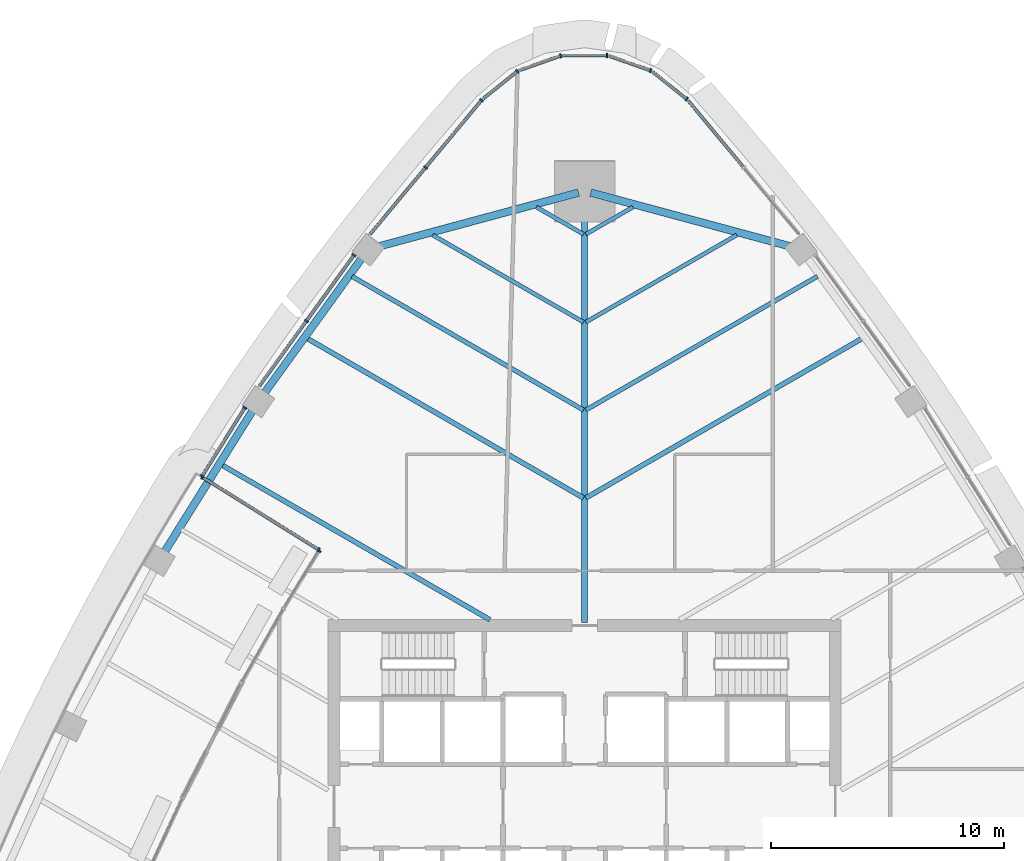
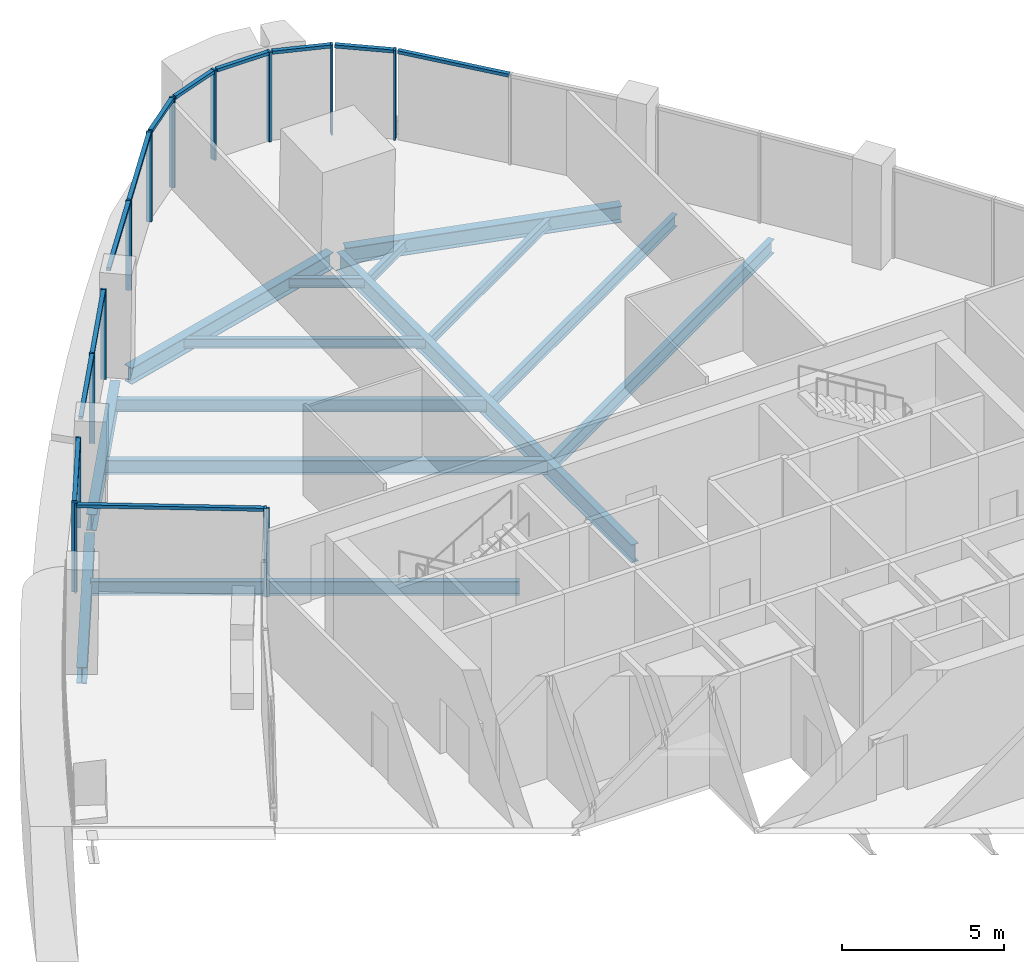
# One storey, part 5 of 18: 26 members, 14 beams, 11 elements without a shape of their own.
"""IFC4 building model written with IfcOpenShell, lengths in metres."""

from ifc_helpers import new_model, si_unit, direction, frame, origin, origin_2d, place, context, subcontext, project, spatial, rectangle, i_section, extrude, material, layer, layer_set, material_profile, profile_set, type_object, element, aggregate, save


model = new_model("IFC4")

# Units and contexts
model_context = context("Model", 3, precision=1e-05, world=origin(), true_north=direction((0.0, 1.0)))
body_context = subcontext(model_context, "Body", "Model", "MODEL_VIEW")
ifc_project = project(units=[si_unit("LENGTHUNIT", "METRE"), si_unit("AREAUNIT", "SQUARE_METRE"), si_unit("VOLUMEUNIT", "CUBIC_METRE"), si_unit("PLANEANGLEUNIT", "RADIAN"), si_unit("MASSUNIT", "GRAM", prefix="KILO")], contexts=[model_context])

# Site, building, storey
site_placement = place(None, origin())
site = spatial("IfcSite", under=ifc_project, at=site_placement, CompositionType="ELEMENT")
building_placement = place(site_placement, origin())
building = spatial("IfcBuilding", under=site, at=building_placement, Name="Sierra Prisma Convention Tower", CompositionType="ELEMENT")
storey_placement = place(building_placement, frame((0.0, 0.0, 205.800048828125)))
storey = spatial("IfcBuildingStorey", under=building, at=storey_placement, Name="L46", CompositionType="ELEMENT", Elevation=205.800048828125)

# Curtain wall, member
ifc_material_1 = material(Name="Aluminium and glass curtain wall", Category="aluminium")
ifc_layer_1 = layer(ifc_material_1, 0.179931640625)
ifc_layer_set_1 = layer_set([ifc_layer_1], Name="CW-1 Plain shaft curtain wall")
curtain_wall_type_1 = type_object("IfcCurtainWallType", Name="CW-1 Plain shaft curtain wall", PredefinedType="NOTDEFINED", material=ifc_layer_set_1)
curtain_wall_1_placement = place(storey_placement, origin())
curtain_wall_1 = element("IfcCurtainWall", 1, at=curtain_wall_1_placement, inside=storey, type_object=curtain_wall_type_1, Name="CW-1 N1 L46", PredefinedType="NOTDEFINED")
ifc_material_2 = material(Name="Aluminium 6063-T6 bronze anodised", Category="aluminium")
ifc_material_profile_1 = material_profile(ifc_material_2, rectangle(XDim=0.179931640625, YDim=0.070068359375, at=origin_2d()), Name="ALU MULLION 70x180")
ifc_profile_set_1 = profile_set([ifc_material_profile_1], Name="Aluminium 6063-T6 bronze anodised")
member_type_1 = type_object("IfcMemberType", Name="CW mullion bronze", PredefinedType="MULLION", material=ifc_profile_set_1)
member_1_placement = place(storey_placement, frame((4.37451171875, 30.325927734375, 0.0), z_axis=(0.0, 0.0, 1.0), x_axis=(-0.624741668982, -0.780831510019, 0.0)))
member_1 = element("IfcMember", 2, at=member_1_placement, type_object=member_type_1, Name="CW-1 mullion N1.1", PredefinedType="MULLION", context=body_context, shape_type="SweptSolid", body=[
    extrude(rectangle(XDim=0.179931640625, YDim=0.070068359375, at=origin_2d()), origin(), (0.0, 0.0, 1.0), 3.39990234375),
])

curtain_wall_2_placement = place(storey_placement, origin())
curtain_wall_2 = element("IfcCurtainWall", 3, at=curtain_wall_2_placement, inside=storey, type_object=curtain_wall_type_1, Name="CW-1 N2 L46", PredefinedType="NOTDEFINED")
member_2_placement = place(storey_placement, frame((2.82373046875, 31.552001953125, 0.0), z_axis=(0.0, 0.0, 1.0), x_axis=(-0.331035111409, -0.943618437195, 0.0)))
member_2 = element("IfcMember", 4, at=member_2_placement, type_object=member_type_1, Name="CW-1 mullion N2.1", PredefinedType="MULLION", context=body_context, shape_type="SweptSolid", body=[
    extrude(rectangle(XDim=0.179931640625, YDim=0.070068359375, at=origin_2d()), origin(), (0.0, 0.0, 1.0), 3.39990234375),
])

curtain_wall_3_placement = place(storey_placement, origin())
curtain_wall_3 = element("IfcCurtainWall", 5, at=curtain_wall_3_placement, inside=storey, type_object=curtain_wall_type_1, Name="CW-1 N3 L46", PredefinedType="NOTDEFINED")
member_3_placement = place(storey_placement, frame((0.954345703125, 32.195556640625, 0.0), z_axis=(0.0, 0.0, 1.0), x_axis=(0.0, -1.0, 0.0)))
member_3 = element("IfcMember", 6, at=member_3_placement, type_object=member_type_1, Name="CW-1 mullion N3.1", PredefinedType="MULLION", context=body_context, shape_type="SweptSolid", body=[
    extrude(rectangle(XDim=0.179931640625, YDim=0.070068359375, at=origin_2d()), origin(), (0.0, 0.0, 1.0), 3.39990234375),
])

curtain_wall_4_placement = place(storey_placement, origin())
curtain_wall_4 = element("IfcCurtainWall", 7, at=curtain_wall_4_placement, inside=storey, type_object=curtain_wall_type_1, Name="CW-1 N4 L46", PredefinedType="NOTDEFINED")
member_4_placement = place(storey_placement, frame((-1.0224609375, 32.183837890625, 0.0), z_axis=(0.0, 0.0, 1.0), x_axis=(0.331035111409, -0.943618437195, 0.0)))
member_4 = element("IfcMember", 8, at=member_4_placement, type_object=member_type_1, Name="CW-1 mullion N4.1", PredefinedType="MULLION", context=body_context, shape_type="SweptSolid", body=[
    extrude(rectangle(XDim=0.179931640625, YDim=0.070068359375, at=origin_2d()), origin(), (0.0, 0.0, 1.0), 3.39990234375),
])

curtain_wall_5_placement = place(storey_placement, origin())
curtain_wall_5 = element("IfcCurtainWall", 9, at=curtain_wall_5_placement, inside=storey, type_object=curtain_wall_type_1, Name="CW-1 N5 L46", PredefinedType="NOTDEFINED")
member_5_placement = place(storey_placement, frame((-2.884033203125, 31.5185546875, 0.0), z_axis=(0.0, 0.0, 1.0), x_axis=(0.624741668982, -0.780831510019, 0.0)))
member_5 = element("IfcMember", 10, at=member_5_placement, type_object=member_type_1, Name="CW-1 mullion N5.1", PredefinedType="MULLION", context=body_context, shape_type="SweptSolid", body=[
    extrude(rectangle(XDim=0.179931640625, YDim=0.070068359375, at=origin_2d()), origin(), (0.0, 0.0, 1.0), 3.39990234375),
])

# Curtain wall, members
curtain_wall_6_placement = place(storey_placement, origin())
curtain_wall_6 = element("IfcCurtainWall", 11, at=curtain_wall_6_placement, inside=storey, type_object=curtain_wall_type_1, Name="CW-1 NW1 L46", PredefinedType="NOTDEFINED")
member_6_placement = place(storey_placement, frame((-4.424072265625, 30.27734375, 0.0), z_axis=(0.0, 0.0, 1.0), x_axis=(0.76911181007, -0.639114249263, 0.0)))
member_6 = element("IfcMember", 12, at=member_6_placement, type_object=member_type_1, Name="CW-1 mullion NW1.1", PredefinedType="MULLION", context=body_context, shape_type="SweptSolid", body=[
    extrude(rectangle(XDim=0.179931640625, YDim=0.070068359375, at=origin_2d()), origin(), (0.0, 0.0, 1.0), 3.39990234375),
])
member_7_placement = place(storey_placement, frame((-6.8203125, 27.3935546875, 0.0), z_axis=(0.0, 0.0, 1.0), x_axis=(0.76911181007, -0.639114249263, 0.0)))
member_7 = element("IfcMember", 13, at=member_7_placement, type_object=member_type_1, Name="CW-1 mullion NW1.2", PredefinedType="MULLION", context=body_context, shape_type="SweptSolid", body=[
    extrude(rectangle(XDim=0.179931640625, YDim=0.070068359375, at=origin_2d()), origin(), (0.0, 0.0, 1.0), 3.39990234375),
])

curtain_wall_7_placement = place(storey_placement, origin())
curtain_wall_7 = element("IfcCurtainWall", 14, at=curtain_wall_7_placement, inside=storey, type_object=curtain_wall_type_1, Name="CW-1 NW2 L46", PredefinedType="NOTDEFINED")
member_8_placement = place(storey_placement, frame((-9.897705078125, 23.62890625, 0.0), z_axis=(0.0, 0.0, 1.0), x_axis=(0.810701414499, -0.585459833404, 0.0)))
member_8 = element("IfcMember", 15, at=member_8_placement, type_object=member_type_1, Name="CW-1 mullion NW2.1", PredefinedType="MULLION", context=body_context, shape_type="SweptSolid", body=[
    extrude(rectangle(XDim=0.179931640625, YDim=0.070068359375, at=origin_2d()), origin(), (0.0, 0.0, 1.0), 3.39990234375),
])
member_9_placement = place(storey_placement, frame((-11.933349609375, 20.809814453125, 0.0), z_axis=(0.0, 0.0, 1.0), x_axis=(0.810701414499, -0.585459833404, 0.0)))
member_9 = element("IfcMember", 16, at=member_9_placement, type_object=member_type_1, Name="CW-1 mullion NW2.2", PredefinedType="MULLION", context=body_context, shape_type="SweptSolid", body=[
    extrude(rectangle(XDim=0.179931640625, YDim=0.070068359375, at=origin_2d()), origin(), (0.0, 0.0, 1.0), 3.39990234375),
])

curtain_wall_8_placement = place(storey_placement, origin())
curtain_wall_8 = element("IfcCurtainWall", 17, at=curtain_wall_8_placement, inside=storey, type_object=curtain_wall_type_1, Name="CW-1 NW3 L46", PredefinedType="NOTDEFINED")
member_10_placement = place(storey_placement, frame((-14.572021484375, 17.0927734375, 0.0), z_axis=(0.0, 0.0, 1.0), x_axis=(0.848554908311, -0.529107330871, 0.0)))
member_10 = element("IfcMember", 18, at=member_10_placement, type_object=member_type_1, Name="CW-1 mullion NW3.1", PredefinedType="MULLION", context=body_context, shape_type="SweptSolid", body=[
    extrude(rectangle(XDim=0.179931640625, YDim=0.070068359375, at=origin_2d()), origin(), (0.0, 0.0, 1.0), 3.39990234375),
])
member_11_placement = place(storey_placement, frame((-16.401611328125, 14.158447265625, 0.0), z_axis=(0.0, 0.0, 1.0), x_axis=(0.848554908311, -0.529107330871, 0.0)))
member_11 = element("IfcMember", 19, at=member_11_placement, type_object=member_type_1, Name="CW-1 mullion NW3.2", PredefinedType="MULLION", context=body_context, shape_type="SweptSolid", body=[
    extrude(rectangle(XDim=0.179931640625, YDim=0.070068359375, at=origin_2d()), origin(), (0.0, 0.0, 1.0), 3.39990234375),
])

# Curtain wall, member
ifc_material_3 = material(Name="Aluminium and glass curtain wall", Category="aluminium")
ifc_layer_2 = layer(ifc_material_3, 0.179931640625)
ifc_layer_set_2 = layer_set([ifc_layer_2], Name="CW-6 Terrace recess curtain wall")
curtain_wall_type_2 = type_object("IfcCurtainWallType", Name="CW-6 Terrace recess curtain wall", PredefinedType="NOTDEFINED", material=ifc_layer_set_2)
curtain_wall_9_placement = place(storey_placement, origin())
curtain_wall_9 = element("IfcCurtainWall", 20, at=curtain_wall_9_placement, inside=storey, type_object=curtain_wall_type_2, Name="CW-6 R1 L46", PredefinedType="NOTDEFINED")
member_12_placement = place(storey_placement, frame((-11.39453125, 10.953857421875, 0.0), z_axis=(0.0, 0.0, 1.0), x_axis=(0.853116142014, -0.521721044462, 0.0)))
member_12 = element("IfcMember", 21, at=member_12_placement, type_object=member_type_1, Name="CW-6 mullion R1.1", PredefinedType="MULLION", context=body_context, shape_type="SweptSolid", body=[
    extrude(rectangle(XDim=0.179931640625, YDim=0.070068359375, at=origin_2d()), origin(), (0.0, 0.0, 1.0), 3.33984375),
])
aggregate(curtain_wall_9, [member_12])

# Curtain wall, members
curtain_wall_10_placement = place(storey_placement, origin())
curtain_wall_10 = element("IfcCurtainWall", 22, at=curtain_wall_10_placement, inside=storey, type_object=curtain_wall_type_2, Name="CW-6 RT1 L46", PredefinedType="NOTDEFINED")
member_13_placement = place(storey_placement, frame((-16.390625, 14.1103515625, 0.0), z_axis=(0.0, 0.0, 1.0), x_axis=(0.529107330871, 0.848554908311, 0.0)))
member_13 = element("IfcMember", 23, at=member_13_placement, type_object=member_type_1, Name="CW-6 mullion RT1.1", PredefinedType="MULLION", context=body_context, shape_type="SweptSolid", body=[
    extrude(rectangle(XDim=0.179931640625, YDim=0.070068359375, at=origin_2d()), origin(), (0.0, 0.0, 1.0), 3.33984375),
])
member_14_placement = place(storey_placement, frame((-11.406005859375, 11.002197265625, 0.0), z_axis=(0.0, 0.0, 1.0), x_axis=(0.529107330871, 0.848554908311, 0.0)))
member_14 = element("IfcMember", 24, at=member_14_placement, type_object=member_type_1, Name="CW-6 mullion RT1.2", PredefinedType="MULLION", context=body_context, shape_type="SweptSolid", body=[
    extrude(rectangle(XDim=0.179931640625, YDim=0.070068359375, at=origin_2d()), origin(), (0.0, 0.0, 1.0), 3.33984375),
])

# Curtain wall, member
curtain_wall_11_placement = place(storey_placement, origin())
curtain_wall_11 = element("IfcCurtainWall", 25, at=curtain_wall_11_placement, inside=storey, type_object=curtain_wall_type_1, Name="CW-1 NE6 L46", PredefinedType="NOTDEFINED")
ifc_material_4 = material(Name="Aluminium 6063-T6 bronze anodised", Category="aluminium")
ifc_material_profile_2 = material_profile(ifc_material_4, rectangle(XDim=0.139892578125, YDim=0.1201171875, at=origin_2d()), Name="ALU TRANSOM 120x140")
ifc_profile_set_2 = profile_set([ifc_material_profile_2], Name="Aluminium 6063-T6 bronze anodised")
member_type_2 = type_object("IfcMemberType", Name="CW transom bronze", PredefinedType="USERDEFINED", material=ifc_profile_set_2)
member_15_placement = place(storey_placement, frame((6.798095703125, 27.42041015625, 3.33984375), z_axis=(-0.639119949248, 0.769107073477, 0.0), x_axis=(-0.769107073477, -0.639119949248, 0.0)))
member_15 = element("IfcMember", 26, at=member_15_placement, type_object=member_type_2, Name="CW-1 transom NE6.2", ObjectType="TRANSOM", PredefinedType="USERDEFINED", context=body_context, shape_type="SweptSolid", body=[
    extrude(rectangle(XDim=0.139892578125, YDim=0.1201171875, at=origin_2d()), origin(), (0.0, 0.0, 1.0), 3.679443359375),
])
aggregate(curtain_wall_11, [member_15])

# Member
member_16_placement = place(storey_placement, frame((4.34716796875, 30.347900390625, 3.33984375), z_axis=(-0.780855855516, 0.624711239619, 0.0), x_axis=(-0.624711239619, -0.780855855516, 0.0)))
member_16 = element("IfcMember", 27, at=member_16_placement, type_object=member_type_2, Name="CW-1 transom N1.1", ObjectType="TRANSOM", PredefinedType="USERDEFINED", context=body_context, shape_type="SweptSolid", body=[
    extrude(rectangle(XDim=0.139892578125, YDim=0.1201171875, at=origin_2d()), origin(), (0.0, 0.0, 1.0), 1.838623046875),
])

aggregate(curtain_wall_1, [member_1, member_16])

member_17_placement = place(storey_placement, frame((2.79052734375, 31.5634765625, 3.33984375), z_axis=(-0.943586882814, 0.331125043723, 0.0), x_axis=(-0.331125043723, -0.943586882814, 0.0)))
member_17 = element("IfcMember", 28, at=member_17_placement, type_object=member_type_2, Name="CW-1 transom N2.1", ObjectType="TRANSOM", PredefinedType="USERDEFINED", context=body_context, shape_type="SweptSolid", body=[
    extrude(rectangle(XDim=0.139892578125, YDim=0.1201171875, at=origin_2d()), origin(), (0.0, 0.0, 1.0), 1.8388671875),
])

aggregate(curtain_wall_2, [member_2, member_17])

member_18_placement = place(storey_placement, frame((0.91943359375, 32.195556640625, 3.33984375), z_axis=(-1.0, 0.0, 0.0), x_axis=(0.0, -1.0, 0.0)))
member_18 = element("IfcMember", 29, at=member_18_placement, type_object=member_type_2, Name="CW-1 transom N3.1", ObjectType="TRANSOM", PredefinedType="USERDEFINED", context=body_context, shape_type="SweptSolid", body=[
    extrude(rectangle(XDim=0.139892578125, YDim=0.1201171875, at=origin_2d()), origin(), (0.0, 0.0, 1.0), 1.8388671875),
])

aggregate(curtain_wall_3, [member_3, member_18])

member_19_placement = place(storey_placement, frame((-1.055419921875, 32.17236328125, 3.33984375), z_axis=(-0.943586882814, -0.331125043723, 0.0), x_axis=(0.331125043723, -0.943586882814, 0.0)))
member_19 = element("IfcMember", 30, at=member_19_placement, type_object=member_type_2, Name="CW-1 transom N4.1", ObjectType="TRANSOM", PredefinedType="USERDEFINED", context=body_context, shape_type="SweptSolid", body=[
    extrude(rectangle(XDim=0.139892578125, YDim=0.1201171875, at=origin_2d()), origin(), (0.0, 0.0, 1.0), 1.8388671875),
])

aggregate(curtain_wall_4, [member_4, member_19])

member_20_placement = place(storey_placement, frame((-2.911376953125, 31.49658203125, 3.33984375), z_axis=(-0.780855855516, -0.624711239619, 0.0), x_axis=(0.624711239619, -0.780855855516, 0.0)))
member_20 = element("IfcMember", 31, at=member_20_placement, type_object=member_type_2, Name="CW-1 transom N5.1", ObjectType="TRANSOM", PredefinedType="USERDEFINED", context=body_context, shape_type="SweptSolid", body=[
    extrude(rectangle(XDim=0.139892578125, YDim=0.1201171875, at=origin_2d()), origin(), (0.0, 0.0, 1.0), 1.838623046875),
])

aggregate(curtain_wall_5, [member_5, member_20])

member_21_placement = place(storey_placement, frame((-4.446533203125, 30.250244140625, 3.33984375), z_axis=(-0.639119949248, -0.769107073477, 0.0), x_axis=(0.769107073477, -0.639119949248, 0.0)))
member_21 = element("IfcMember", 32, at=member_21_placement, type_object=member_type_2, Name="CW-1 transom NW1.1", ObjectType="TRANSOM", PredefinedType="USERDEFINED", context=body_context, shape_type="SweptSolid", body=[
    extrude(rectangle(XDim=0.139892578125, YDim=0.1201171875, at=origin_2d()), origin(), (0.0, 0.0, 1.0), 3.679443359375),
])

member_22_placement = place(storey_placement, frame((-6.8427734375, 27.36669921875, 3.33984375), z_axis=(-0.639119949248, -0.769107073477, 0.0), x_axis=(0.769107073477, -0.639119949248, 0.0)))
member_22 = element("IfcMember", 33, at=member_22_placement, type_object=member_type_2, Name="CW-1 transom NW1.2", ObjectType="TRANSOM", PredefinedType="USERDEFINED", context=body_context, shape_type="SweptSolid", body=[
    extrude(rectangle(XDim=0.139892578125, YDim=0.1201171875, at=origin_2d()), origin(), (0.0, 0.0, 1.0), 3.679443359375),
])

aggregate(curtain_wall_6, [member_6, member_7, member_21, member_22])

member_23_placement = place(storey_placement, frame((-9.918212890625, 23.600341796875, 3.33984375), z_axis=(-0.585514100308, -0.8106622221, 0.0), x_axis=(0.8106622221, -0.585514100308, 0.0)))
member_23 = element("IfcMember", 34, at=member_23_placement, type_object=member_type_2, Name="CW-1 transom NW2.1", ObjectType="TRANSOM", PredefinedType="USERDEFINED", context=body_context, shape_type="SweptSolid", body=[
    extrude(rectangle(XDim=0.139892578125, YDim=0.1201171875, at=origin_2d()), origin(), (0.0, 0.0, 1.0), 3.406982421875),
])

member_24_placement = place(storey_placement, frame((-11.953857421875, 20.781494140625, 3.33984375), z_axis=(-0.585514100308, -0.8106622221, 0.0), x_axis=(0.8106622221, -0.585514100308, 0.0)))
member_24 = element("IfcMember", 35, at=member_24_placement, type_object=member_type_2, Name="CW-1 transom NW2.2", ObjectType="TRANSOM", PredefinedType="USERDEFINED", context=body_context, shape_type="SweptSolid", body=[
    extrude(rectangle(XDim=0.139892578125, YDim=0.1201171875, at=origin_2d()), origin(), (0.0, 0.0, 1.0), 3.406982421875),
])

aggregate(curtain_wall_7, [member_8, member_9, member_23, member_24])

member_25_placement = place(storey_placement, frame((-14.590576171875, 17.063232421875, 3.33984375), z_axis=(-0.529065885305, -0.848580749844, 0.0), x_axis=(0.848580749844, -0.529065885305, 0.0)))
member_25 = element("IfcMember", 36, at=member_25_placement, type_object=member_type_2, Name="CW-1 transom NW3.1", ObjectType="TRANSOM", PredefinedType="USERDEFINED", context=body_context, shape_type="SweptSolid", body=[
    extrude(rectangle(XDim=0.139892578125, YDim=0.1201171875, at=origin_2d()), origin(), (0.0, 0.0, 1.0), 3.387939453125),
])

aggregate(curtain_wall_8, [member_10, member_11, member_25])

member_26_placement = place(storey_placement, frame((-16.36083984375, 14.091796875, 3.280029296875), z_axis=(0.848548453833, -0.529117682088, 0.0), x_axis=(0.529117682088, 0.848548453833, 0.0)))
member_26 = element("IfcMember", 37, at=member_26_placement, type_object=member_type_2, Name="CW-6 transom RT1.1", ObjectType="TRANSOM", PredefinedType="USERDEFINED", context=body_context, shape_type="SweptSolid", body=[
    extrude(rectangle(XDim=0.139892578125, YDim=0.1201171875, at=origin_2d()), origin(), (0.0, 0.0, 1.0), 5.80419921875),
])

aggregate(curtain_wall_10, [member_13, member_14, member_26])

# Beams
ifc_material_5 = material(Name="Steel ASTM A992 Gr 50", Category="steel")
ifc_material_profile_3 = material_profile(ifc_material_5, i_section(OverallWidth=0.172119140625, OverallDepth=0.35791015625, WebThickness=0.0078125, FlangeThickness=0.01318359375, at=origin_2d()), Name="W360x57")
ifc_profile_set_3 = profile_set([ifc_material_profile_3], Name="Steel ASTM A992 Gr 50")
beam_type_1 = type_object("IfcBeamType", Name="Floor joist W360x57", PredefinedType="JOIST", material=ifc_profile_set_3)
beam_1_placement = place(storey_placement, frame((6.520751953125, 24.496826171875, -0.3291015625), z_axis=(-0.866030490612, -0.499991189252, 0.0), x_axis=(0.499991189252, -0.866030490612, 0.0)))
element("IfcBeam", 38, at=beam_1_placement, inside=storey, type_object=beam_type_1, Name="Floor joist L46 NE13", PredefinedType="JOIST", context=body_context, shape_type="SweptSolid", body=[
    extrude(i_section(OverallWidth=0.172119140625, OverallDepth=0.35791015625, WebThickness=0.0078125, FlangeThickness=0.01318359375, at=origin_2d()), origin(), (0.0, 0.0, 1.0), 7.470947265625),
])
for number, where, z_axis, x_axis, name in (
    (39, (2.070068359375, 25.696533203125, -0.3291015625), (-0.866037376701, -0.499979261727, 0.0), (0.499979261727, -0.866037376701, 0.0), "Floor joist L46 NE14"),
    (40, (-2.070068359375, 25.696533203125, -0.3291015625), (0.866037376701, -0.499979261727, 0.0), (0.499979261727, 0.866037376701, 0.0), "Floor joist L46 NW01"),
):
    element("IfcBeam", number, at=place(storey_placement, frame(where, z_axis=z_axis, x_axis=x_axis)), inside=storey, type_object=beam_type_1, Name=name, PredefinedType="JOIST", context=body_context, shape_type="SweptSolid", body=[
        extrude(i_section(OverallWidth=0.172119140625, OverallDepth=0.35791015625, WebThickness=0.0078125, FlangeThickness=0.01318359375, at=origin_2d()), origin(), (0.0, 0.0, 1.0), 2.33154296875),
    ])
beam_2_placement = place(storey_placement, frame((-6.520751953125, 24.496826171875, -0.3291015625), z_axis=(0.866030490612, -0.499991189252, 0.0), x_axis=(0.499991189252, 0.866030490612, 0.0)))
element("IfcBeam", 41, at=beam_2_placement, inside=storey, type_object=beam_type_1, Name="Floor joist L46 NW02", PredefinedType="JOIST", context=body_context, shape_type="SweptSolid", body=[
    extrude(i_section(OverallWidth=0.172119140625, OverallDepth=0.35791015625, WebThickness=0.0078125, FlangeThickness=0.01318359375, at=origin_2d()), origin(), (0.0, 0.0, 1.0), 7.470947265625),
])
ifc_material_6 = material(Name="Steel ASTM A992 Gr 50", Category="steel")
ifc_material_profile_4 = material_profile(ifc_material_6, i_section(OverallWidth=0.18994140625, OverallDepth=0.45703125, WebThickness=0.009033203125, FlangeThickness=0.014404296875, at=origin_2d()), Name="W460x74")
ifc_profile_set_4 = profile_set([ifc_material_profile_4], Name="Steel ASTM A992 Gr 50")
beam_type_2 = type_object("IfcBeamType", Name="Floor joist W460x74", PredefinedType="JOIST", material=ifc_profile_set_4)
for number, where, z_axis, x_axis, name in (
    (42, (9.980224609375, 22.724609375, -0.378662109375), (-0.866029209911, -0.499993407537, 0.0), (0.499993407537, -0.866029209911, 0.0), "Floor joist L46 NE12"),
    (43, (-9.980224609375, 22.724609375, -0.378662109375), (0.866029209911, -0.499993407537, 0.0), (0.499993407537, 0.866029209911, 0.0), "Floor joist L46 NW03"),
):
    element("IfcBeam", number, at=place(storey_placement, frame(where, z_axis=z_axis, x_axis=x_axis)), inside=storey, type_object=beam_type_2, Name=name, PredefinedType="JOIST", context=body_context, shape_type="SweptSolid", body=[
        extrude(i_section(OverallWidth=0.18994140625, OverallDepth=0.45703125, WebThickness=0.009033203125, FlangeThickness=0.014404296875, at=origin_2d()), origin(), (0.0, 0.0, 1.0), 11.465576171875),
    ])
ifc_material_7 = material(Name="Steel ASTM A992 Gr 50", Category="steel")
ifc_material_profile_5 = material_profile(ifc_material_7, i_section(OverallWidth=0.208984375, OverallDepth=0.532958984375, WebThickness=0.01025390625, FlangeThickness=0.015625, at=origin_2d()), Name="W530x92")
ifc_profile_set_5 = profile_set([ifc_material_profile_5], Name="Steel ASTM A992 Gr 50")
beam_type_3 = type_object("IfcBeamType", Name="Floor joist W530x92", PredefinedType="JOIST", material=ifc_profile_set_5)
for number, where, z_axis, x_axis, name in (
    (44, (11.9013671875, 20.064453125, -0.41650390625), (-0.866022174996, -0.500005592383, 0.0), (0.500005592383, -0.866022174996, 0.0), "Floor joist L46 NE11"),
    (45, (-11.9013671875, 20.064453125, -0.41650390625), (0.866022174996, -0.500005592383, 0.0), (0.500005592383, 0.866022174996, 0.0), "Floor joist L46 NW04"),
):
    element("IfcBeam", number, at=place(storey_placement, frame(where, z_axis=z_axis, x_axis=x_axis)), inside=storey, type_object=beam_type_3, Name=name, PredefinedType="JOIST", context=body_context, shape_type="SweptSolid", body=[
        extrude(i_section(OverallWidth=0.208984375, OverallDepth=0.532958984375, WebThickness=0.01025390625, FlangeThickness=0.015625, at=origin_2d()), origin(), (0.0, 0.0, 1.0), 13.683837890625),
    ])
beam_3_placement = place(storey_placement, frame((-15.55859375, 14.636962890625, -0.41650390625), z_axis=(0.86602631787, -0.499998416754, 0.0), x_axis=(0.499998416754, 0.86602631787, 0.0)))
element("IfcBeam", 46, at=beam_3_placement, inside=storey, type_object=beam_type_3, Name="Floor joist L46 NW06", PredefinedType="JOIST", context=body_context, shape_type="SweptSolid", body=[
    extrude(i_section(OverallWidth=0.208984375, OverallDepth=0.532958984375, WebThickness=0.01025390625, FlangeThickness=0.015625, at=origin_2d()), origin(), (0.0, 0.0, 1.0), 13.27392578125),
])
ifc_material_8 = material(Name="Steel ASTM A992 Gr 50", Category="steel")
ifc_material_profile_6 = material_profile(ifc_material_8, i_section(OverallWidth=0.25390625, OverallDepth=0.68408203125, WebThickness=0.012451171875, FlangeThickness=0.018798828125, at=origin_2d()), Name="W690x140")
ifc_profile_set_6 = profile_set([ifc_material_profile_6], Name="Steel ASTM A992 Gr 50")
beam_type_4 = type_object("IfcBeamType", Name="Radial girder W690x140", PredefinedType="BEAM", material=ifc_profile_set_6)
beam_4_placement = place(storey_placement, frame((0.0, 26.126220703125, -0.491943359375), z_axis=(0.0, -1.0, 0.0), x_axis=(1.0, 0.0, 0.0)))
element("IfcBeam", 47, at=beam_4_placement, inside=storey, type_object=beam_type_4, Name="Radial girder L46 N", PredefinedType="BEAM", context=body_context, shape_type="SweptSolid", body=[
    extrude(i_section(OverallWidth=0.25390625, OverallDepth=0.68408203125, WebThickness=0.012451171875, FlangeThickness=0.018798828125, at=origin_2d()), origin(), (0.0, 0.0, 1.0), 18.246337890625),
])
ifc_material_9 = material(Name="Steel ASTM A992 Gr 50", Category="steel")
ifc_material_profile_7 = material_profile(ifc_material_9, i_section(OverallWidth=0.324951171875, OverallDepth=0.615966796875, WebThickness=0.013916015625, FlangeThickness=0.021484375, at=origin_2d()), Name="W610x174")
ifc_profile_set_7 = profile_set([ifc_material_profile_7], Name="Steel ASTM A992 Gr 50")
beam_type_5 = type_object("IfcBeamType", Name="Spandrel beam W610x174", PredefinedType="BEAM", material=ifc_profile_set_7)
for number, where, z_axis, x_axis, name in (
    (48, (8.792236328125, 24.01611328125, -0.4580078125), (-0.965533017095, 0.260280604156, 0.0), (-0.260280604156, -0.965533017095, 0.0), "Spandrel L46-12"),
    (49, (-0.260009765625, 26.316162109375, -0.4580078125), (-0.965533017095, -0.260280604156, 0.0), (0.260280604156, -0.965533017095, 0.0), "Spandrel L46-13"),
):
    element("IfcBeam", number, at=place(storey_placement, frame(where, z_axis=z_axis, x_axis=x_axis)), inside=storey, type_object=beam_type_5, Name=name, PredefinedType="BEAM", context=body_context, shape_type="SweptSolid", body=[
        extrude(i_section(OverallWidth=0.324951171875, OverallDepth=0.615966796875, WebThickness=0.013916015625, FlangeThickness=0.021484375, at=origin_2d()), origin(), (0.0, 0.0, 1.0), 8.8369140625),
    ])
beam_5_placement = place(storey_placement, frame((-9.504638671875, 23.57568359375, -0.4580078125), z_axis=(-0.585444050386, -0.810712812202, 0.0), x_axis=(0.810712812202, -0.585444050386, 0.0)))
element("IfcBeam", 50, at=beam_5_placement, inside=storey, type_object=beam_type_5, Name="Spandrel L46-14", PredefinedType="BEAM", context=body_context, shape_type="SweptSolid", body=[
    extrude(i_section(OverallWidth=0.324951171875, OverallDepth=0.615966796875, WebThickness=0.013916015625, FlangeThickness=0.021484375, at=origin_2d()), origin(), (0.0, 0.0, 1.0), 7.283935546875),
])
beam_6_placement = place(storey_placement, frame((-14.193115234375, 17.03955078125, -0.608154296875), z_axis=(-0.529088798369, -0.848566463773, 0.0), x_axis=(0.848566463773, -0.529088798369, 0.0)))
element("IfcBeam", 51, at=beam_6_placement, inside=storey, type_object=beam_type_5, Name="Spandrel L46-15", PredefinedType="BEAM", context=body_context, shape_type="SweptSolid", body=[
    extrude(i_section(OverallWidth=0.324951171875, OverallDepth=0.615966796875, WebThickness=0.013916015625, FlangeThickness=0.021484375, at=origin_2d()), origin(), (0.0, 0.0, 1.0), 7.2841796875),
])

save(model, "model.ifc")
